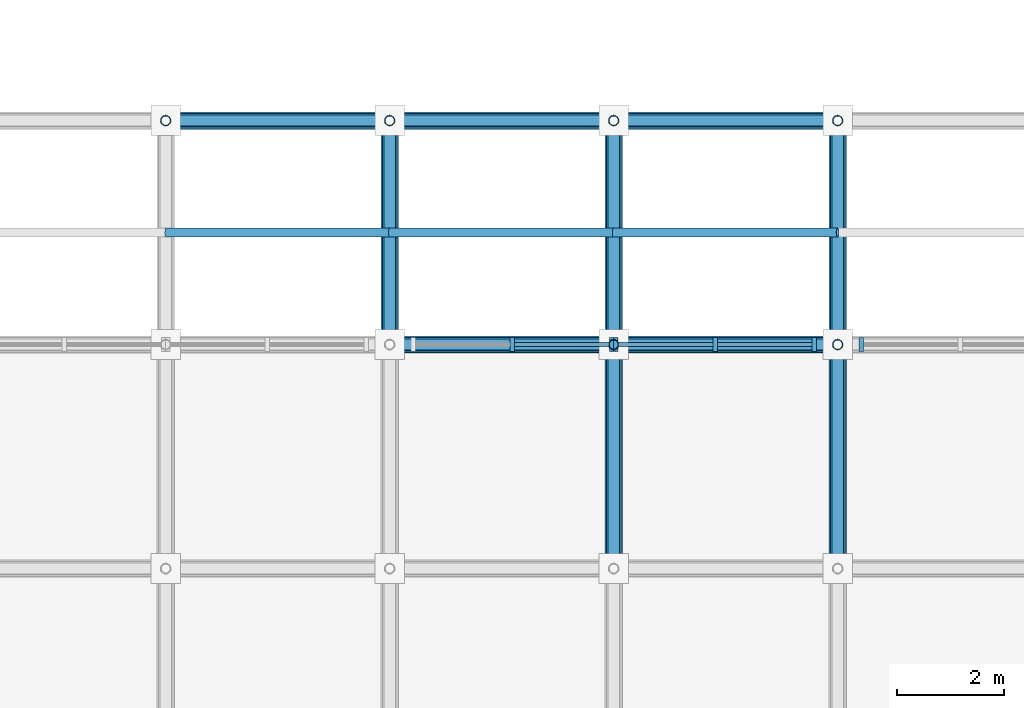
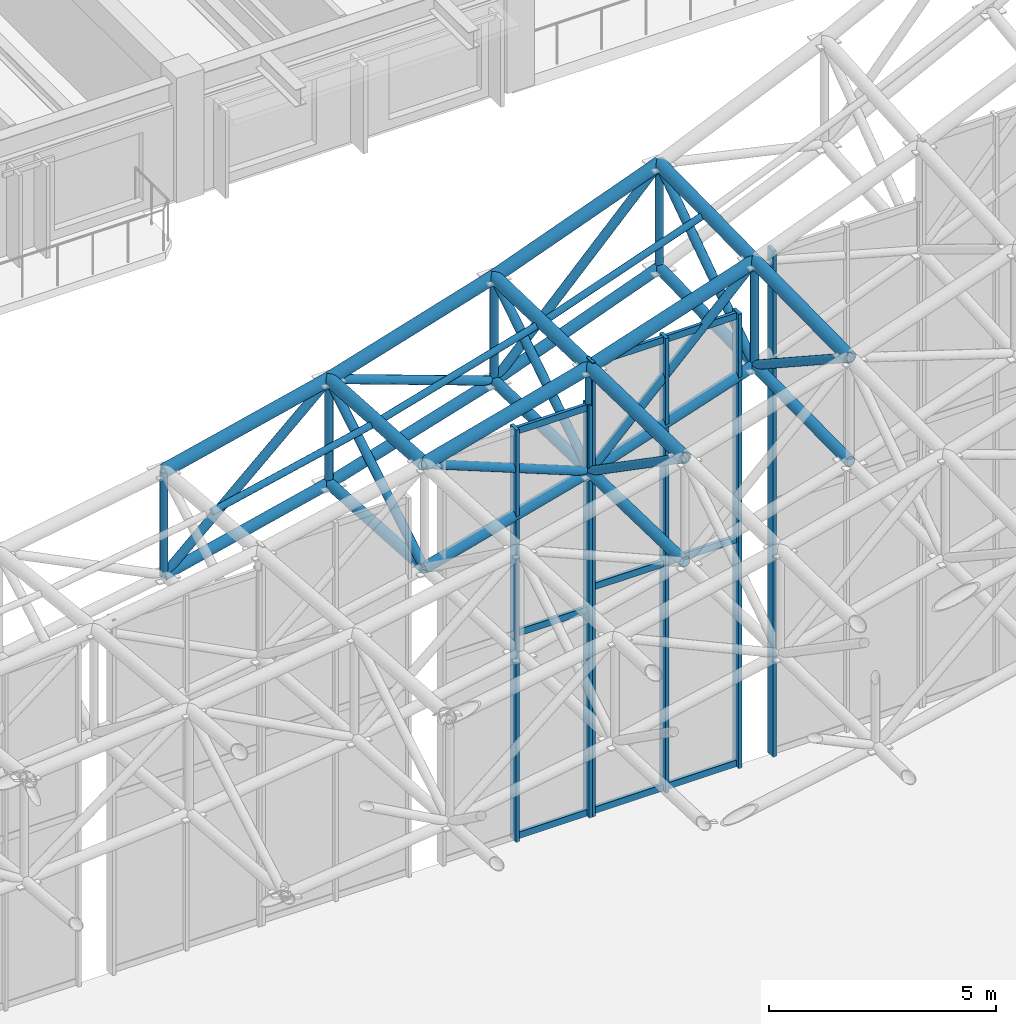
# One storey, part 52 of 93: 54 members, 3 elements without a shape of their own.
"""IFC4 building model written with IfcOpenShell, lengths in metres."""

from ifc_helpers import new_model, si_unit, direction, frame, origin, origin_2d, place, context, subcontext, project, spatial, rectangle, hollow_circle, extrude, material, material_profile, profile_set, type_object, element, aggregate, save


model = new_model("IFC4")

# Units and contexts
model_context = context("Model", 3, precision=1e-05, world=origin(), true_north=direction((0.0, 1.0)))
body_context = subcontext(model_context, "Body", "Model", "MODEL_VIEW")
ifc_project = project(units=[si_unit("LENGTHUNIT", "METRE"), si_unit("AREAUNIT", "SQUARE_METRE"), si_unit("VOLUMEUNIT", "CUBIC_METRE"), si_unit("PLANEANGLEUNIT", "RADIAN"), si_unit("MASSUNIT", "GRAM", prefix="KILO")], contexts=[model_context])

# Site, building, storey
site_placement = place(None, origin())
site = spatial("IfcSite", under=ifc_project, at=site_placement, CompositionType="ELEMENT")
building_placement = place(site_placement, origin())
building = spatial("IfcBuilding", under=site, at=building_placement, Name="Cumbredor Promenade Congress Hotel", CompositionType="ELEMENT")
storey_placement = place(building_placement, frame((0.0, 0.0, 21.840087890625)))
storey = spatial("IfcBuildingStorey", under=building, at=storey_placement, Name="L06", CompositionType="ELEMENT", Elevation=21.840087890625)

# Curtain wall, members
ifc_material_1 = material(Name="Thermally broken anodized aluminium and low-E glass", Category="aluminium")
curtain_wall_type = type_object("IfcCurtainWallType", Name="Stepped Pavilion Clerestory Curtain Wall CW-06", PredefinedType="NOTDEFINED", material=ifc_material_1)
curtain_wall_1_placement = place(storey_placement, origin())
curtain_wall_1 = element("IfcCurtainWall", 1, at=curtain_wall_1_placement, inside=storey, type_object=curtain_wall_type, Name="Plenary Congress Hall N Glazed Clerestory 11", PredefinedType="NOTDEFINED")
ifc_material_2 = material(Name="Thermally broken anodized aluminium", Category="aluminium")
ifc_material_profile_1 = material_profile(ifc_material_2, rectangle(XDim=0.0849609375, YDim=0.260009765625, at=origin_2d()), Name="ALU MULLION CLERESTORY 85x260")
ifc_profile_set_1 = profile_set([ifc_material_profile_1], Name="Thermally broken anodized aluminium")
member_type_1 = type_object("IfcMemberType", Name="Curtain Wall Mullion ML-04", PredefinedType="MULLION", material=ifc_profile_set_1)
member_1_placement = place(storey_placement, frame((52.699951171875, 67.199951171875, -0.01806640625), z_axis=(0.0, 0.0, 1.0), x_axis=(1.0, 0.0, 0.0)))
member_1 = element("IfcMember", 2, at=member_1_placement, type_object=member_type_1, Name="Plenary Congress Hall N Glazed Clerestory 11 Mullion 2", PredefinedType="MULLION", context=body_context, shape_type="SweptSolid", body=[
    extrude(rectangle(XDim=0.0849609375, YDim=0.260009765625, at=origin_2d()), origin(), (0.0, 0.0, 1.0), 11.090087890625),
])
member_2_placement = place(storey_placement, frame((54.56005859375, 67.199951171875, -0.01806640625), z_axis=(0.0, 0.0, 1.0), x_axis=(1.0, 0.0, 0.0)))
member_2 = element("IfcMember", 3, at=member_2_placement, type_object=member_type_1, Name="Plenary Congress Hall N Glazed Clerestory 11 Mullion 3", PredefinedType="MULLION", context=body_context, shape_type="SweptSolid", body=[
    extrude(rectangle(XDim=0.0849609375, YDim=0.260009765625, at=origin_2d()), origin(), (0.0, 0.0, 1.0), 11.090087890625),
])

curtain_wall_2_placement = place(storey_placement, origin())
curtain_wall_2 = element("IfcCurtainWall", 4, at=curtain_wall_2_placement, inside=storey, type_object=curtain_wall_type, Name="Plenary Congress Hall N Glazed Clerestory 12", PredefinedType="NOTDEFINED")
member_3_placement = place(storey_placement, frame((54.639892578125, 67.199951171875, -0.01806640625), z_axis=(0.0, 0.0, 1.0), x_axis=(1.0, 0.0, 0.0)))
member_3 = element("IfcMember", 5, at=member_3_placement, type_object=member_type_1, Name="Plenary Congress Hall N Glazed Clerestory 12 Mullion 1", PredefinedType="MULLION", context=body_context, shape_type="SweptSolid", body=[
    extrude(rectangle(XDim=0.0849609375, YDim=0.260009765625, at=origin_2d()), origin(), (0.0, 0.0, 1.0), 12.2236328125),
])
member_4_placement = place(storey_placement, frame((56.5, 67.199951171875, -0.01806640625), z_axis=(0.0, 0.0, 1.0), x_axis=(1.0, 0.0, 0.0)))
member_4 = element("IfcMember", 6, at=member_4_placement, type_object=member_type_1, Name="Plenary Congress Hall N Glazed Clerestory 12 Mullion 2", PredefinedType="MULLION", context=body_context, shape_type="SweptSolid", body=[
    extrude(rectangle(XDim=0.0849609375, YDim=0.260009765625, at=origin_2d()), origin(), (0.0, 0.0, 1.0), 12.2236328125),
])
member_5_placement = place(storey_placement, frame((58.360107421875, 67.199951171875, -0.01806640625), z_axis=(0.0, 0.0, 1.0), x_axis=(1.0, 0.0, 0.0)))
member_5 = element("IfcMember", 7, at=member_5_placement, type_object=member_type_1, Name="Plenary Congress Hall N Glazed Clerestory 12 Mullion 3", PredefinedType="MULLION", context=body_context, shape_type="SweptSolid", body=[
    extrude(rectangle(XDim=0.0849609375, YDim=0.260009765625, at=origin_2d()), origin(), (0.0, 0.0, 1.0), 12.2236328125),
])

# Curtain wall, member
curtain_wall_3_placement = place(storey_placement, origin())
curtain_wall_3 = element("IfcCurtainWall", 8, at=curtain_wall_3_placement, inside=storey, type_object=curtain_wall_type, Name="Plenary Congress Hall N Glazed Clerestory 13", PredefinedType="NOTDEFINED")
member_6_placement = place(storey_placement, frame((59.239990234375, 67.199951171875, -0.01806640625), z_axis=(0.0, 0.0, 1.0), x_axis=(1.0, 0.0, 0.0)))
member_6 = element("IfcMember", 9, at=member_6_placement, type_object=member_type_1, Name="Plenary Congress Hall N Glazed Clerestory 13 Mullion 1", PredefinedType="MULLION", context=body_context, shape_type="SweptSolid", body=[
    extrude(rectangle(XDim=0.0849609375, YDim=0.260009765625, at=origin_2d()), origin(), (0.0, 0.0, 1.0), 13.609130859375),
])
aggregate(curtain_wall_3, [member_6])

# Member
ifc_material_profile_2 = material_profile(ifc_material_2, rectangle(XDim=0.080078125, YDim=0.179931640625, at=origin_2d()), Name="ALU TRANSOM 80x180")
ifc_profile_set_2 = profile_set([ifc_material_profile_2], Name="Thermally broken anodized aluminium")
member_type_2 = type_object("IfcMemberType", Name="Curtain Wall Transom TR-03", PredefinedType="USERDEFINED", material=ifc_profile_set_2)
member_7_placement = place(storey_placement, frame((52.742431640625, 67.199951171875, 0.079833984375), z_axis=(1.0, 0.0, 0.0), x_axis=(0.0, 1.0, 0.0)))
member_7 = element("IfcMember", 10, at=member_7_placement, type_object=member_type_2, Name="Plenary Congress Hall N Glazed Clerestory 11 Transom 2.1", ObjectType="TRANSOM", PredefinedType="USERDEFINED", context=body_context, shape_type="SweptSolid", body=[
    extrude(rectangle(XDim=0.080078125, YDim=0.179931640625, at=origin_2d()), origin(), (0.0, 0.0, 1.0), 1.775146484375),
])

member_8_placement = place(storey_placement, frame((52.742431640625, 67.199951171875, 5.530029296875), z_axis=(1.0, 0.0, 0.0), x_axis=(0.0, 1.0, 0.0)))
member_8 = element("IfcMember", 11, at=member_8_placement, type_object=member_type_2, Name="Plenary Congress Hall N Glazed Clerestory 11 Transom 2.2", ObjectType="TRANSOM", PredefinedType="USERDEFINED", context=body_context, shape_type="SweptSolid", body=[
    extrude(rectangle(XDim=0.080078125, YDim=0.179931640625, at=origin_2d()), origin(), (0.0, 0.0, 1.0), 1.775146484375),
])

member_9_placement = place(storey_placement, frame((52.742431640625, 67.199951171875, 10.969970703125), z_axis=(1.0, 0.0, 0.0), x_axis=(0.0, 1.0, 0.0)))
member_9 = element("IfcMember", 12, at=member_9_placement, type_object=member_type_2, Name="Plenary Congress Hall N Glazed Clerestory 11 Transom 2.3", ObjectType="TRANSOM", PredefinedType="USERDEFINED", context=body_context, shape_type="SweptSolid", body=[
    extrude(rectangle(XDim=0.080078125, YDim=0.179931640625, at=origin_2d()), origin(), (0.0, 0.0, 1.0), 1.775146484375),
])

aggregate(curtain_wall_1, [member_1, member_2, member_7, member_8, member_9])

member_10_placement = place(storey_placement, frame((54.6826171875, 67.199951171875, 0.079833984375), z_axis=(1.0, 0.0, 0.0), x_axis=(0.0, 1.0, 0.0)))
member_10 = element("IfcMember", 13, at=member_10_placement, type_object=member_type_2, Name="Plenary Congress Hall N Glazed Clerestory 12 Transom 1.1", ObjectType="TRANSOM", PredefinedType="USERDEFINED", context=body_context, shape_type="SweptSolid", body=[
    extrude(rectangle(XDim=0.080078125, YDim=0.179931640625, at=origin_2d()), origin(), (0.0, 0.0, 1.0), 1.77490234375),
])

member_11_placement = place(storey_placement, frame((54.6826171875, 67.199951171875, 6.099853515625), z_axis=(1.0, 0.0, 0.0), x_axis=(0.0, 1.0, 0.0)))
member_11 = element("IfcMember", 14, at=member_11_placement, type_object=member_type_2, Name="Plenary Congress Hall N Glazed Clerestory 12 Transom 1.2", ObjectType="TRANSOM", PredefinedType="USERDEFINED", context=body_context, shape_type="SweptSolid", body=[
    extrude(rectangle(XDim=0.080078125, YDim=0.179931640625, at=origin_2d()), origin(), (0.0, 0.0, 1.0), 1.77490234375),
])

member_12_placement = place(storey_placement, frame((54.6826171875, 67.199951171875, 12.10986328125), z_axis=(1.0, 0.0, 0.0), x_axis=(0.0, 1.0, 0.0)))
member_12 = element("IfcMember", 15, at=member_12_placement, type_object=member_type_2, Name="Plenary Congress Hall N Glazed Clerestory 12 Transom 1.3", ObjectType="TRANSOM", PredefinedType="USERDEFINED", context=body_context, shape_type="SweptSolid", body=[
    extrude(rectangle(XDim=0.080078125, YDim=0.179931640625, at=origin_2d()), origin(), (0.0, 0.0, 1.0), 1.77490234375),
])

member_13_placement = place(storey_placement, frame((56.54248046875, 67.199951171875, 0.079833984375), z_axis=(1.0, 0.0, 0.0), x_axis=(0.0, 1.0, 0.0)))
member_13 = element("IfcMember", 16, at=member_13_placement, type_object=member_type_2, Name="Plenary Congress Hall N Glazed Clerestory 12 Transom 2.1", ObjectType="TRANSOM", PredefinedType="USERDEFINED", context=body_context, shape_type="SweptSolid", body=[
    extrude(rectangle(XDim=0.080078125, YDim=0.179931640625, at=origin_2d()), origin(), (0.0, 0.0, 1.0), 1.77490234375),
])

member_14_placement = place(storey_placement, frame((56.54248046875, 67.199951171875, 6.099853515625), z_axis=(1.0, 0.0, 0.0), x_axis=(0.0, 1.0, 0.0)))
member_14 = element("IfcMember", 17, at=member_14_placement, type_object=member_type_2, Name="Plenary Congress Hall N Glazed Clerestory 12 Transom 2.2", ObjectType="TRANSOM", PredefinedType="USERDEFINED", context=body_context, shape_type="SweptSolid", body=[
    extrude(rectangle(XDim=0.080078125, YDim=0.179931640625, at=origin_2d()), origin(), (0.0, 0.0, 1.0), 1.77490234375),
])

member_15_placement = place(storey_placement, frame((56.54248046875, 67.199951171875, 12.10986328125), z_axis=(1.0, 0.0, 0.0), x_axis=(0.0, 1.0, 0.0)))
member_15 = element("IfcMember", 18, at=member_15_placement, type_object=member_type_2, Name="Plenary Congress Hall N Glazed Clerestory 12 Transom 2.3", ObjectType="TRANSOM", PredefinedType="USERDEFINED", context=body_context, shape_type="SweptSolid", body=[
    extrude(rectangle(XDim=0.080078125, YDim=0.179931640625, at=origin_2d()), origin(), (0.0, 0.0, 1.0), 1.77490234375),
])

aggregate(curtain_wall_2, [member_3, member_4, member_5, member_10, member_11, member_12, member_13, member_14, member_15])

# Members
ifc_material_3 = material(Name="Steel ASTM A500 Grade C", Category="steel")
ifc_material_profile_3 = material_profile(ifc_material_3, hollow_circle(Radius=0.136474609375, WallThickness=0.01611328125, at=origin_2d()), Name="CHS 273.0x16")
ifc_profile_set_3 = profile_set([ifc_material_profile_3], Name="Steel ASTM A500 Grade C")
member_type_3 = type_object("IfcMemberType", Name="Plenary Roof Space Frame Bottom Chord", PredefinedType="CHORD", material=ifc_profile_set_3)
member_16_placement = place(storey_placement, frame((50.39990234375, 67.199951171875, 8.083984375), z_axis=(0.965444332881, 0.0, 0.260609363049), x_axis=(0.0, 1.0, 0.0)))
element("IfcMember", 19, at=member_16_placement, inside=storey, type_object=member_type_3, Name="Plenary Congress Hall X Bottom Chord 14.17", PredefinedType="CHORD", context=body_context, shape_type="SweptSolid", body=[
    extrude(hollow_circle(Radius=0.136474609375, WallThickness=0.01611328125, at=origin_2d()), origin(), (0.0, 0.0, 1.0), 4.3505859375),
])
member_17_placement = place(storey_placement, frame((54.60009765625, 67.199951171875, 9.2177734375), z_axis=(0.949661335763, 0.0, 0.313278386354), x_axis=(0.0, 1.0, 0.0)))
element("IfcMember", 20, at=member_17_placement, inside=storey, type_object=member_type_3, Name="Plenary Congress Hall X Bottom Chord 15.17", PredefinedType="CHORD", context=body_context, shape_type="SweptSolid", body=[
    extrude(hollow_circle(Radius=0.136474609375, WallThickness=0.01611328125, at=origin_2d()), origin(), (0.0, 0.0, 1.0), 4.422607421875),
])
member_18_placement = place(storey_placement, frame((46.199951171875, 71.39990234375, 6.82080078125), z_axis=(0.972882011564, 0.0, 0.231301948922), x_axis=(0.0, 1.0, 0.0)))
element("IfcMember", 21, at=member_18_placement, inside=storey, type_object=member_type_3, Name="Plenary Congress Hall X Bottom Chord 13.18", PredefinedType="CHORD", context=body_context, shape_type="SweptSolid", body=[
    extrude(hollow_circle(Radius=0.136474609375, WallThickness=0.01611328125, at=origin_2d()), origin(), (0.0, 0.0, 1.0), 4.317138671875),
])
member_19_placement = place(storey_placement, frame((50.39990234375, 71.39990234375, 7.8193359375), z_axis=(0.95633258209, 0.0, 0.292280674066), x_axis=(0.0, 1.0, 0.0)))
element("IfcMember", 22, at=member_19_placement, inside=storey, type_object=member_type_3, Name="Plenary Congress Hall X Bottom Chord 14.18", PredefinedType="CHORD", context=body_context, shape_type="SweptSolid", body=[
    extrude(hollow_circle(Radius=0.136474609375, WallThickness=0.01611328125, at=origin_2d()), origin(), (0.0, 0.0, 1.0), 4.39208984375),
])
member_20_placement = place(storey_placement, frame((54.60009765625, 71.39990234375, 9.10302734375), z_axis=(0.936760366069, 0.0, 0.349971451068), x_axis=(0.0, 1.0, 0.0)))
element("IfcMember", 23, at=member_20_placement, inside=storey, type_object=member_type_3, Name="Plenary Congress Hall X Bottom Chord 15.18", PredefinedType="CHORD", context=body_context, shape_type="SweptSolid", body=[
    extrude(hollow_circle(Radius=0.136474609375, WallThickness=0.01611328125, at=origin_2d()), origin(), (0.0, 0.0, 1.0), 4.4833984375),
])
member_21_placement = place(storey_placement, frame((50.39990234375, 67.199951171875, 8.083984375), z_axis=(0.0, 0.998020619679, -0.062887540065), x_axis=(-1.0, 0.0, 0.0)))
element("IfcMember", 24, at=member_21_placement, inside=storey, type_object=member_type_3, Name="Plenary Congress Hall Y Bottom Chord 14.17", PredefinedType="CHORD", context=body_context, shape_type="SweptSolid", body=[
    extrude(hollow_circle(Radius=0.136474609375, WallThickness=0.01611328125, at=origin_2d()), origin(), (0.0, 0.0, 1.0), 4.208251953125),
])
member_22_placement = place(storey_placement, frame((54.60009765625, 63.0, 9.321533203125), z_axis=(0.0, 0.999694971273, -0.024697457582), x_axis=(-1.0, 0.0, 0.0)))
element("IfcMember", 25, at=member_22_placement, inside=storey, type_object=member_type_3, Name="Plenary Congress Hall Y Bottom Chord 15.16", PredefinedType="CHORD", context=body_context, shape_type="SweptSolid", body=[
    extrude(hollow_circle(Radius=0.136474609375, WallThickness=0.01611328125, at=origin_2d()), origin(), (0.0, 0.0, 1.0), 4.201171875),
])
member_23_placement = place(storey_placement, frame((54.60009765625, 67.199951171875, 9.2177734375), z_axis=(0.0, 0.999626995305, -0.027310625344), x_axis=(-1.0, 0.0, 0.0)))
element("IfcMember", 26, at=member_23_placement, inside=storey, type_object=member_type_3, Name="Plenary Congress Hall Y Bottom Chord 15.17", PredefinedType="CHORD", context=body_context, shape_type="SweptSolid", body=[
    extrude(hollow_circle(Radius=0.136474609375, WallThickness=0.01611328125, at=origin_2d()), origin(), (0.0, 0.0, 1.0), 4.201416015625),
])
member_24_placement = place(storey_placement, frame((58.800048828125, 63.0, 10.5478515625), z_axis=(0.0, 0.999912952434, 0.013194224275), x_axis=(-1.0, 0.0, 0.0)))
element("IfcMember", 27, at=member_24_placement, inside=storey, type_object=member_type_3, Name="Plenary Congress Hall Y Bottom Chord 16.16", PredefinedType="CHORD", context=body_context, shape_type="SweptSolid", body=[
    extrude(hollow_circle(Radius=0.136474609375, WallThickness=0.01611328125, at=origin_2d()), origin(), (0.0, 0.0, 1.0), 4.2001953125),
])
member_25_placement = place(storey_placement, frame((58.800048828125, 67.199951171875, 10.603271484375), z_axis=(0.0, 0.999865670213, 0.016390287682), x_axis=(-1.0, 0.0, 0.0)))
element("IfcMember", 28, at=member_25_placement, inside=storey, type_object=member_type_3, Name="Plenary Congress Hall Y Bottom Chord 16.17", PredefinedType="CHORD", context=body_context, shape_type="SweptSolid", body=[
    extrude(hollow_circle(Radius=0.136474609375, WallThickness=0.01611328125, at=origin_2d()), origin(), (0.0, 0.0, 1.0), 4.200439453125),
])
ifc_material_profile_4 = material_profile(ifc_material_3, hollow_circle(Radius=0.161865234375, WallThickness=0.01611328125, at=origin_2d()), Name="CHS 323.9x16")
ifc_profile_set_4 = profile_set([ifc_material_profile_4], Name="Steel ASTM A500 Grade C")
member_type_4 = type_object("IfcMemberType", Name="Plenary Roof Space Frame Top Chord", PredefinedType="CHORD", material=ifc_profile_set_4)
member_26_placement = place(storey_placement, frame((50.39990234375, 67.199951171875, 10.884033203125), z_axis=(0.965444332881, 0.0, 0.260609363049), x_axis=(0.0, 1.0, 0.0)))
element("IfcMember", 29, at=member_26_placement, inside=storey, type_object=member_type_4, Name="Plenary Congress Hall X Top Chord 14.17", PredefinedType="CHORD", context=body_context, shape_type="SweptSolid", body=[
    extrude(hollow_circle(Radius=0.161865234375, WallThickness=0.01611328125, at=origin_2d()), origin(), (0.0, 0.0, 1.0), 4.3505859375),
])
member_27_placement = place(storey_placement, frame((54.60009765625, 67.199951171875, 12.017822265625), z_axis=(0.949661335763, 0.0, 0.313278386354), x_axis=(0.0, 1.0, 0.0)))
element("IfcMember", 30, at=member_27_placement, inside=storey, type_object=member_type_4, Name="Plenary Congress Hall X Top Chord 15.17", PredefinedType="CHORD", context=body_context, shape_type="SweptSolid", body=[
    extrude(hollow_circle(Radius=0.161865234375, WallThickness=0.01611328125, at=origin_2d()), origin(), (0.0, 0.0, 1.0), 4.422607421875),
])
member_28_placement = place(storey_placement, frame((46.199951171875, 71.39990234375, 9.620849609375), z_axis=(0.972882011564, 0.0, 0.231301948922), x_axis=(0.0, 1.0, 0.0)))
element("IfcMember", 31, at=member_28_placement, inside=storey, type_object=member_type_4, Name="Plenary Congress Hall X Top Chord 13.18", PredefinedType="CHORD", context=body_context, shape_type="SweptSolid", body=[
    extrude(hollow_circle(Radius=0.161865234375, WallThickness=0.01611328125, at=origin_2d()), origin(), (0.0, 0.0, 1.0), 4.317138671875),
])
member_29_placement = place(storey_placement, frame((50.39990234375, 71.39990234375, 10.619384765625), z_axis=(0.95633258209, 0.0, 0.292280674066), x_axis=(0.0, 1.0, 0.0)))
element("IfcMember", 32, at=member_29_placement, inside=storey, type_object=member_type_4, Name="Plenary Congress Hall X Top Chord 14.18", PredefinedType="CHORD", context=body_context, shape_type="SweptSolid", body=[
    extrude(hollow_circle(Radius=0.161865234375, WallThickness=0.01611328125, at=origin_2d()), origin(), (0.0, 0.0, 1.0), 4.39208984375),
])
member_30_placement = place(storey_placement, frame((54.60009765625, 71.39990234375, 11.903076171875), z_axis=(0.936760366069, 0.0, 0.349971451068), x_axis=(0.0, 1.0, 0.0)))
element("IfcMember", 33, at=member_30_placement, inside=storey, type_object=member_type_4, Name="Plenary Congress Hall X Top Chord 15.18", PredefinedType="CHORD", context=body_context, shape_type="SweptSolid", body=[
    extrude(hollow_circle(Radius=0.161865234375, WallThickness=0.01611328125, at=origin_2d()), origin(), (0.0, 0.0, 1.0), 4.4833984375),
])
member_31_placement = place(storey_placement, frame((50.39990234375, 67.199951171875, 10.884033203125), z_axis=(0.0, 0.998020619679, -0.062887540065), x_axis=(-1.0, 0.0, 0.0)))
element("IfcMember", 34, at=member_31_placement, inside=storey, type_object=member_type_4, Name="Plenary Congress Hall Y Top Chord 14.17", PredefinedType="CHORD", context=body_context, shape_type="SweptSolid", body=[
    extrude(hollow_circle(Radius=0.161865234375, WallThickness=0.01611328125, at=origin_2d()), origin(), (0.0, 0.0, 1.0), 4.208251953125),
])
member_32_placement = place(storey_placement, frame((54.60009765625, 63.0, 12.12158203125), z_axis=(0.0, 0.999694971273, -0.024697457582), x_axis=(-1.0, 0.0, 0.0)))
element("IfcMember", 35, at=member_32_placement, inside=storey, type_object=member_type_4, Name="Plenary Congress Hall Y Top Chord 15.16", PredefinedType="CHORD", context=body_context, shape_type="SweptSolid", body=[
    extrude(hollow_circle(Radius=0.161865234375, WallThickness=0.01611328125, at=origin_2d()), origin(), (0.0, 0.0, 1.0), 4.201171875),
])
member_33_placement = place(storey_placement, frame((54.60009765625, 67.199951171875, 12.017822265625), z_axis=(0.0, 0.999626995305, -0.027310625344), x_axis=(-1.0, 0.0, 0.0)))
element("IfcMember", 36, at=member_33_placement, inside=storey, type_object=member_type_4, Name="Plenary Congress Hall Y Top Chord 15.17", PredefinedType="CHORD", context=body_context, shape_type="SweptSolid", body=[
    extrude(hollow_circle(Radius=0.161865234375, WallThickness=0.01611328125, at=origin_2d()), origin(), (0.0, 0.0, 1.0), 4.201416015625),
])
member_34_placement = place(storey_placement, frame((58.800048828125, 63.0, 13.347900390625), z_axis=(0.0, 0.999912952434, 0.013194224275), x_axis=(-1.0, 0.0, 0.0)))
element("IfcMember", 37, at=member_34_placement, inside=storey, type_object=member_type_4, Name="Plenary Congress Hall Y Top Chord 16.16", PredefinedType="CHORD", context=body_context, shape_type="SweptSolid", body=[
    extrude(hollow_circle(Radius=0.161865234375, WallThickness=0.01611328125, at=origin_2d()), origin(), (0.0, 0.0, 1.0), 4.2001953125),
])
member_35_placement = place(storey_placement, frame((58.800048828125, 67.199951171875, 13.4033203125), z_axis=(0.0, 0.999865670213, 0.016390287682), x_axis=(-1.0, 0.0, 0.0)))
element("IfcMember", 38, at=member_35_placement, inside=storey, type_object=member_type_4, Name="Plenary Congress Hall Y Top Chord 16.17", PredefinedType="CHORD", context=body_context, shape_type="SweptSolid", body=[
    extrude(hollow_circle(Radius=0.161865234375, WallThickness=0.01611328125, at=origin_2d()), origin(), (0.0, 0.0, 1.0), 4.200439453125),
])
ifc_material_profile_5 = material_profile(ifc_material_3, hollow_circle(Radius=0.084228515625, WallThickness=0.010009765625, at=origin_2d()), Name="CHS 168.3x10")
ifc_profile_set_5 = profile_set([ifc_material_profile_5], Name="Steel ASTM A500 Grade C")
member_type_5 = type_object("IfcMemberType", Name="Roof Purlin CHS168", PredefinedType="PURLIN", material=ifc_profile_set_5)
member_36_placement = place(storey_placement, frame((46.199951171875, 69.300048828125, 9.79150390625), z_axis=(0.975848194102, 0.0, 0.218449770126), x_axis=(0.0, 1.0, 0.0)))
element("IfcMember", 39, at=member_36_placement, inside=storey, type_object=member_type_5, Name="Plenary Congress Hall Roof Eave Purlin 13.17", PredefinedType="PURLIN", context=body_context, shape_type="SweptSolid", body=[
    extrude(hollow_circle(Radius=0.084228515625, WallThickness=0.010009765625, at=origin_2d()), origin(), (0.0, 0.0, 1.0), 4.303955078125),
])
member_37_placement = place(storey_placement, frame((50.39990234375, 69.300048828125, 10.731689453125), z_axis=(0.960997329479, 0.0, 0.27655764812), x_axis=(0.0, 1.0, 0.0)))
element("IfcMember", 40, at=member_37_placement, inside=storey, type_object=member_type_5, Name="Plenary Congress Hall Roof Eave Purlin 14.17", PredefinedType="PURLIN", context=body_context, shape_type="SweptSolid", body=[
    extrude(hollow_circle(Radius=0.084228515625, WallThickness=0.010009765625, at=origin_2d()), origin(), (0.0, 0.0, 1.0), 4.37060546875),
])
member_38_placement = place(storey_placement, frame((54.60009765625, 69.300048828125, 11.9404296875), z_axis=(0.943345133946, 0.0, 0.331813137564), x_axis=(0.0, 1.0, 0.0)))
element("IfcMember", 41, at=member_38_placement, inside=storey, type_object=member_type_5, Name="Plenary Congress Hall Roof Eave Purlin 15.17", PredefinedType="PURLIN", context=body_context, shape_type="SweptSolid", body=[
    extrude(hollow_circle(Radius=0.084228515625, WallThickness=0.010009765625, at=origin_2d()), origin(), (0.0, 0.0, 1.0), 4.4521484375),
])
ifc_material_profile_6 = material_profile(ifc_material_3, hollow_circle(Radius=0.109619140625, WallThickness=0.012451171875, at=origin_2d()), Name="CHS 219.1x12.5")
ifc_profile_set_6 = profile_set([ifc_material_profile_6], Name="Steel ASTM A500 Grade C")
member_type_6 = type_object("IfcMemberType", Name="Space Frame Web Diagonal D1", PredefinedType="BRACE", material=ifc_profile_set_6)
member_39_placement = place(storey_placement, frame((50.39990234375, 67.199951171875, 10.884033203125), z_axis=(0.929527459473, 0.0, -0.368752901122), x_axis=(0.0, 1.0, 0.0)))
element("IfcMember", 42, at=member_39_placement, inside=storey, type_object=member_type_6, Name="Plenary Congress Hall X Web Diagonal 14.17", PredefinedType="BRACE", context=body_context, shape_type="SweptSolid", body=[
    extrude(hollow_circle(Radius=0.109619140625, WallThickness=0.012451171875, at=origin_2d()), origin(), (0.0, 0.0, 1.0), 4.5185546875),
])
member_40_placement = place(storey_placement, frame((54.60009765625, 67.199951171875, 9.2177734375), z_axis=(0.708320377911, 0.0, 0.705891098), x_axis=(0.0, 1.0, 0.0)))
element("IfcMember", 43, at=member_40_placement, inside=storey, type_object=member_type_6, Name="Plenary Congress Hall X Web Diagonal 15.17", PredefinedType="BRACE", context=body_context, shape_type="SweptSolid", body=[
    extrude(hollow_circle(Radius=0.109619140625, WallThickness=0.012451171875, at=origin_2d()), origin(), (0.0, 0.0, 1.0), 5.929443359375),
])
member_41_placement = place(storey_placement, frame((46.199951171875, 71.39990234375, 6.82080078125), z_axis=(0.741656287329, 0.0, 0.670780106641), x_axis=(0.0, 1.0, 0.0)))
element("IfcMember", 44, at=member_41_placement, inside=storey, type_object=member_type_6, Name="Plenary Congress Hall X Web Diagonal 13.18", PredefinedType="BRACE", context=body_context, shape_type="SweptSolid", body=[
    extrude(hollow_circle(Radius=0.109619140625, WallThickness=0.012451171875, at=origin_2d()), origin(), (0.0, 0.0, 1.0), 5.662841796875),
])
member_42_placement = place(storey_placement, frame((50.39990234375, 71.39990234375, 10.619384765625), z_axis=(0.940581064863, 0.0, -0.33956922773), x_axis=(0.0, 1.0, 0.0)))
element("IfcMember", 45, at=member_42_placement, inside=storey, type_object=member_type_6, Name="Plenary Congress Hall X Web Diagonal 14.18", PredefinedType="BRACE", context=body_context, shape_type="SweptSolid", body=[
    extrude(hollow_circle(Radius=0.109619140625, WallThickness=0.012451171875, at=origin_2d()), origin(), (0.0, 0.0, 1.0), 4.465576171875),
])
member_43_placement = place(storey_placement, frame((54.60009765625, 71.39990234375, 9.10302734375), z_axis=(0.693010491724, 0.0, 0.720927498685), x_axis=(0.0, 1.0, 0.0)))
element("IfcMember", 46, at=member_43_placement, inside=storey, type_object=member_type_6, Name="Plenary Congress Hall X Web Diagonal 15.18", PredefinedType="BRACE", context=body_context, shape_type="SweptSolid", body=[
    extrude(hollow_circle(Radius=0.109619140625, WallThickness=0.012451171875, at=origin_2d()), origin(), (0.0, 0.0, 1.0), 6.060546875),
])
member_44_placement = place(storey_placement, frame((50.39990234375, 67.199951171875, 8.083984375), z_axis=(0.0, 0.85610225014, 0.51680647955), x_axis=(-1.0, 0.0, 0.0)))
element("IfcMember", 47, at=member_44_placement, inside=storey, type_object=member_type_6, Name="Plenary Congress Hall Y Web Diagonal 14.17", PredefinedType="BRACE", context=body_context, shape_type="SweptSolid", body=[
    extrude(hollow_circle(Radius=0.109619140625, WallThickness=0.012451171875, at=origin_2d()), origin(), (0.0, 0.0, 1.0), 4.906005859375),
])
member_45_placement = place(storey_placement, frame((54.60009765625, 63.0, 12.12158203125), z_axis=(0.0, 0.822544901259, -0.568700171806), x_axis=(-1.0, 0.0, 0.0)))
element("IfcMember", 48, at=member_45_placement, inside=storey, type_object=member_type_6, Name="Plenary Congress Hall Y Web Diagonal 15.16", PredefinedType="BRACE", context=body_context, shape_type="SweptSolid", body=[
    extrude(hollow_circle(Radius=0.109619140625, WallThickness=0.012451171875, at=origin_2d()), origin(), (0.0, 0.0, 1.0), 5.10595703125),
])
member_46_placement = place(storey_placement, frame((54.60009765625, 67.199951171875, 9.2177734375), z_axis=(0.0, 0.842514132567, 0.538674239615), x_axis=(-1.0, 0.0, 0.0)))
element("IfcMember", 49, at=member_46_placement, inside=storey, type_object=member_type_6, Name="Plenary Congress Hall Y Web Diagonal 15.17", PredefinedType="BRACE", context=body_context, shape_type="SweptSolid", body=[
    extrude(hollow_circle(Radius=0.109619140625, WallThickness=0.012451171875, at=origin_2d()), origin(), (0.0, 0.0, 1.0), 4.985107421875),
])
member_47_placement = place(storey_placement, frame((58.800048828125, 63.0, 13.347900390625), z_axis=(0.0, 0.837105887726, -0.547040887625), x_axis=(-1.0, 0.0, 0.0)))
element("IfcMember", 50, at=member_47_placement, inside=storey, type_object=member_type_6, Name="Plenary Congress Hall Y Web Diagonal 16.16", PredefinedType="BRACE", context=body_context, shape_type="SweptSolid", body=[
    extrude(hollow_circle(Radius=0.109619140625, WallThickness=0.012451171875, at=origin_2d()), origin(), (0.0, 0.0, 1.0), 5.017333984375),
])
member_48_placement = place(storey_placement, frame((58.800048828125, 67.199951171875, 10.603271484375), z_axis=(0.0, 0.825742637592, 0.564047069368), x_axis=(-1.0, 0.0, 0.0)))
element("IfcMember", 51, at=member_48_placement, inside=storey, type_object=member_type_6, Name="Plenary Congress Hall Y Web Diagonal 16.17", PredefinedType="BRACE", context=body_context, shape_type="SweptSolid", body=[
    extrude(hollow_circle(Radius=0.109619140625, WallThickness=0.012451171875, at=origin_2d()), origin(), (0.0, 0.0, 1.0), 5.086181640625),
])
ifc_material_profile_7 = material_profile(ifc_material_3, hollow_circle(Radius=0.096923828125, WallThickness=0.010009765625, at=origin_2d()), Name="CHS 193.7x10")
ifc_profile_set_7 = profile_set([ifc_material_profile_7], Name="Steel ASTM A500 Grade C")
member_type_7 = type_object("IfcMemberType", Name="Space Frame Web Post P1", PredefinedType="BRACE", material=ifc_profile_set_7)
for number, where, z_axis, x_axis, name in (
    (52, (46.199951171875, 71.39990234375, 6.82080078125), (0.0, 0.0, 1.0), (1.0, 0.0, 0.0), "Plenary Congress Hall Space Frame Web Post 13.18"),
    (53, (50.39990234375, 71.39990234375, 7.8193359375), (0.0, 0.0, 1.0), (1.0, 0.0, 0.0), "Plenary Congress Hall Space Frame Web Post 14.18"),
    (54, (54.60009765625, 67.199951171875, 9.2177734375), (0.0, 0.0, 1.0), (1.0, 0.0, 0.0), "Plenary Congress Hall Space Frame Web Post 15.17"),
    (55, (54.60009765625, 71.39990234375, 9.10302734375), (0.0, 0.0, 1.0), (1.0, 0.0, 0.0), "Plenary Congress Hall Space Frame Web Post 15.18"),
    (56, (58.800048828125, 67.199951171875, 10.603271484375), (0.0, 0.0, 1.0), (1.0, 0.0, 0.0), "Plenary Congress Hall Space Frame Web Post 16.17"),
    (57, (58.800048828125, 71.39990234375, 10.672119140625), (0.0, 0.0, 1.0), (1.0, 0.0, 0.0), "Plenary Congress Hall Space Frame Web Post 16.18"),
):
    element("IfcMember", number, at=place(storey_placement, frame(where, z_axis=z_axis, x_axis=x_axis)), inside=storey, type_object=member_type_7, Name=name, PredefinedType="BRACE", context=body_context, shape_type="SweptSolid", body=[
        extrude(hollow_circle(Radius=0.096923828125, WallThickness=0.010009765625, at=origin_2d()), origin(), (0.0, 0.0, 1.0), 2.800048828125),
    ])

save(model, "model.ifc")
